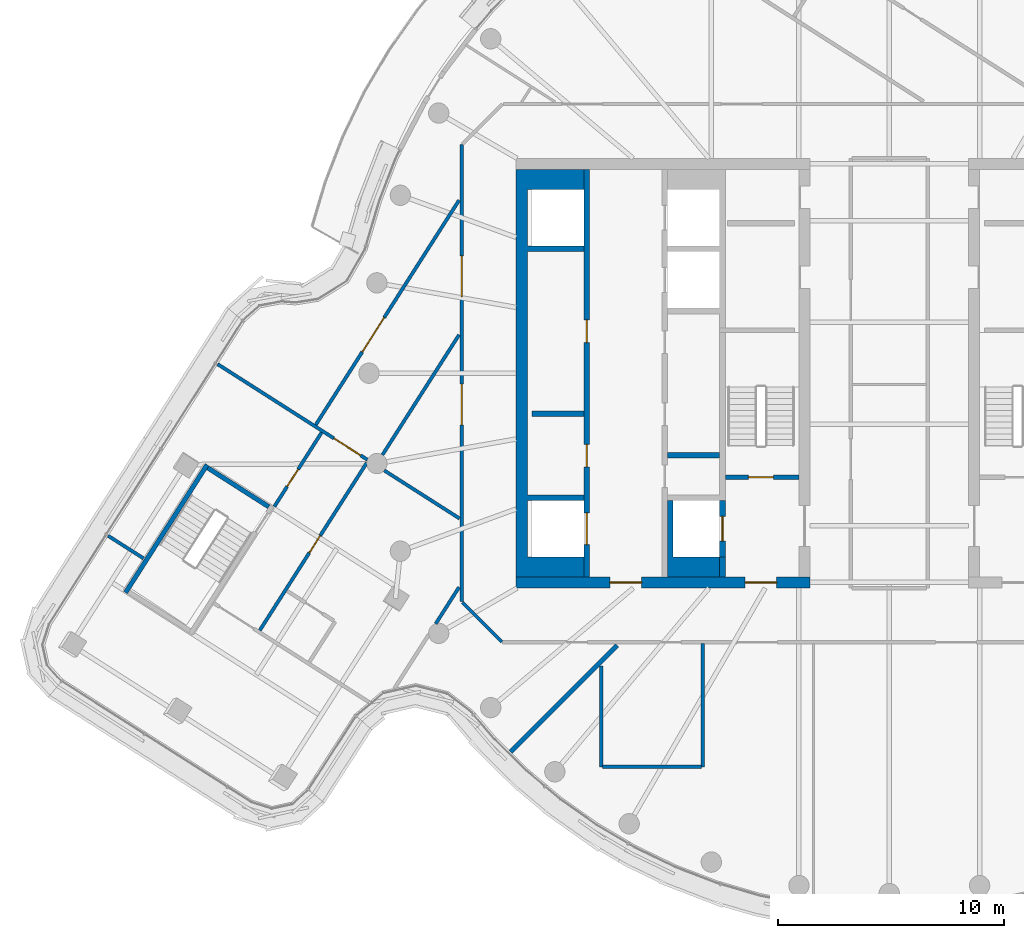
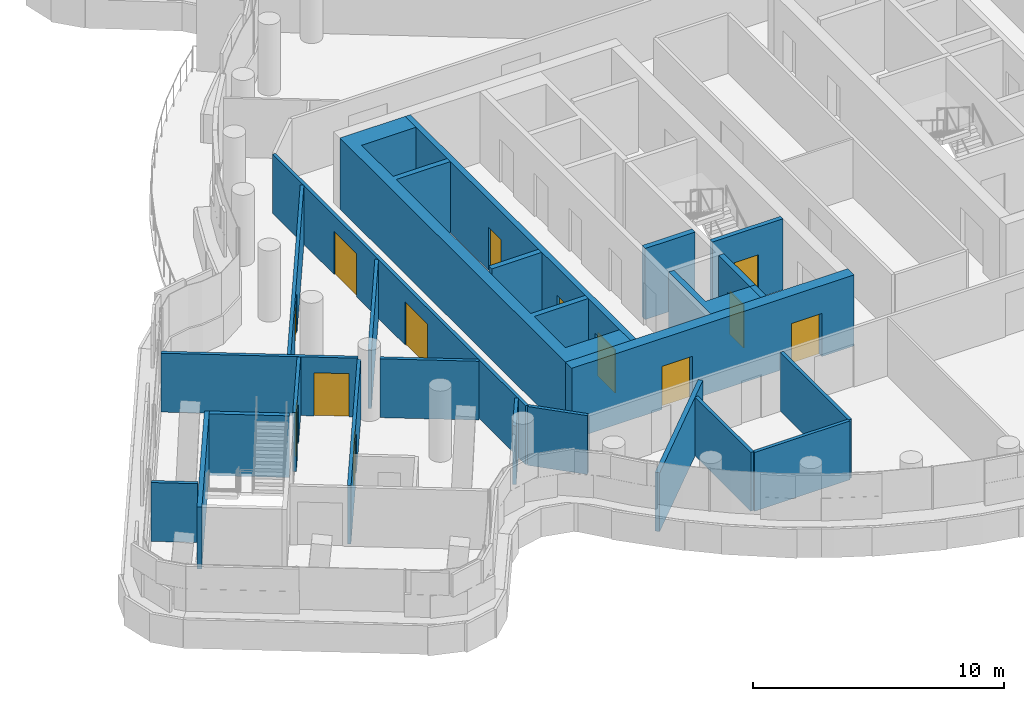
# One storey, part 17 of 27: 25 walls, 13 doors, 13 openings.
"""IFC4 building model written with IfcOpenShell, lengths in metres."""

from ifc_helpers import new_model, si_unit, direction, frame, frame_2d, origin, place, context, subcontext, project, spatial, polyline, rectangle, outline, extrude, material, layer, layer_set, type_object, element, fill, save


model = new_model("IFC4")

# Units and contexts
model_context = context("Model", 3, precision=1e-05, world=origin(), true_north=direction((0.0, 1.0)))
body_context = subcontext(model_context, "Body", "Model", "MODEL_VIEW")
ifc_project = project(units=[si_unit("LENGTHUNIT", "METRE"), si_unit("AREAUNIT", "SQUARE_METRE"), si_unit("VOLUMEUNIT", "CUBIC_METRE"), si_unit("PLANEANGLEUNIT", "RADIAN"), si_unit("MASSUNIT", "GRAM", prefix="KILO")], contexts=[model_context])

# Site, building, storey
site_placement = place(None, origin())
site = spatial("IfcSite", under=ifc_project, at=site_placement, CompositionType="ELEMENT")
building_placement = place(site_placement, origin())
building = spatial("IfcBuilding", under=site, at=building_placement, Name="Tamarind Cross Interchange Tower", CompositionType="ELEMENT")
storey_placement = place(building_placement, frame((0.0, 0.0, 241.5)))
storey = spatial("IfcBuildingStorey", under=building, at=storey_placement, Name="L61", CompositionType="ELEMENT", Elevation=241.5)

# Wall, openings, doors
ifc_material_1 = material(Name="Concrete C50", Category="concrete")
ifc_layer_1 = layer(ifc_material_1, 0.5)
ifc_layer_set_1 = layer_set([ifc_layer_1], Name="Concrete C50")
wall_type_1 = type_object("IfcWallType", Name="Core wall 500 mm Concrete C50", PredefinedType="SHEAR", material=ifc_layer_set_1)
wall_1_placement = place(storey_placement, frame((-16.5, -9.25, 0.0), z_axis=(0.0, 0.0, 1.0), x_axis=(1.0, 0.0, 0.0)))
wall_1 = element("IfcWall", 1, at=wall_1_placement, inside=storey, type_object=wall_type_1, Name="Core wall CWL-L61-W-S", PredefinedType="SHEAR", context=body_context, shape_type="SweptSolid", body=[
    extrude(rectangle(XDim=13.0, YDim=0.5, at=frame_2d((6.5, 0.0))), origin(), (0.0, 0.0, 1.0), 3.4599609375),
])
opening_1_placement = place(wall_1_placement, frame((4.14990234375, 0.0, 0.0)))
opening_1 = element("IfcOpeningElement", 2, at=opening_1_placement, cuts=wall_1, Name="Opening DCW1", PredefinedType="OPENING", context=body_context, shape_type="SweptSolid", body=[
    extrude(rectangle(XDim=1.39990234375, YDim=2.10009765625, at=frame_2d((0.699951171875, 1.050048828125))), frame((0.0, 0.260009765625, 0.0), z_axis=(0.0, -1.0, 0.0), x_axis=(1.0, 0.0, 0.0)), (0.0, 0.0, 1.0), 0.52001953125),
])
opening_2_placement = place(wall_1_placement, frame((10.125, 0.0, 0.0)))
opening_2 = element("IfcOpeningElement", 3, at=opening_2_placement, cuts=wall_1, Name="Opening DCWF", PredefinedType="OPENING", context=body_context, shape_type="SweptSolid", body=[
    extrude(rectangle(XDim=1.39990234375, YDim=2.10009765625, at=frame_2d((0.699951171875, 1.050048828125))), frame((0.0, 0.260009765625, 0.0), z_axis=(0.0, -1.0, 0.0), x_axis=(1.0, 0.0, 0.0)), (0.0, 0.0, 1.0), 0.52001953125),
])
ifc_material_2 = material(Name="Steel, fire-resisting", Category="steel")
door_type_1 = type_object("IfcDoorType", Name="Core fire door 1400 x 2100 FD90", OperationType="SINGLE_SWING_LEFT", PredefinedType="DOOR", material=ifc_material_2)
door_1_placement = place(opening_1_placement, origin())
door_1 = element("IfcDoor", 4, at=door_1_placement, inside=storey, type_object=door_type_1, Name="L61 lift lobby door", OperationType="SINGLE_SWING_LEFT", OverallHeight=2.10009765625, OverallWidth=1.39990234375, PredefinedType="DOOR", context=body_context, shape_type="SweptSolid", body=[
    extrude(rectangle(XDim=1.39990234375, YDim=2.10009765625, at=frame_2d((0.699951171875, 1.050048828125))), frame((0.0, 0.02490234375, 0.0), z_axis=(0.0, -1.0, 0.0), x_axis=(1.0, 0.0, 0.0)), (0.0, 0.0, 1.0), 0.050048828125),
])
fill(opening_1, door_1)
door_2_placement = place(opening_2_placement, origin())
door_2 = element("IfcDoor", 5, at=door_2_placement, inside=storey, type_object=door_type_1, Name="L61 firefighting lobby end door", OperationType="SINGLE_SWING_LEFT", OverallHeight=2.10009765625, OverallWidth=1.39990234375, PredefinedType="DOOR", context=body_context, shape_type="SweptSolid", body=[
    extrude(rectangle(XDim=1.39990234375, YDim=2.10009765625, at=frame_2d((0.699951171875, 1.050048828125))), frame((0.0, 0.02490234375, 0.0), z_axis=(0.0, -1.0, 0.0), x_axis=(1.0, 0.0, 0.0)), (0.0, 0.0, 1.0), 0.050048828125),
])
fill(opening_2, door_2)

# Walls
wall_2_placement = place(storey_placement, origin())
element("IfcWall", 6, at=wall_2_placement, inside=storey, type_object=wall_type_1, Name="Core wall CWL-L61-W-A", PredefinedType="SHEAR", context=body_context, shape_type="SweptSolid", body=[
    extrude(outline(polyline([(-13.5, -8.125), (-16.0, -8.125), (-16.0, -5.625), (-13.5, -5.625), (-13.5, -5.375), (-16.0, -5.375), (-16.0, 5.375), (-13.5, 5.375), (-13.5, 5.625), (-16.0, 5.625), (-16.0, 8.125), (-13.5, 8.125), (-13.5, 9.0), (-16.0, 9.0), (-16.5, 9.0), (-16.5, -9.0), (-16.0, -9.0), (-13.5, -9.0), (-13.5, -8.125)])), origin(), (0.0, 0.0, 1.0), 3.4599609375),
])
ifc_layer_2 = layer(ifc_material_1, 0.25)
ifc_layer_set_2 = layer_set([ifc_layer_2], Name="Concrete C50")
wall_type_2 = type_object("IfcWallType", Name="Core web wall 250 mm Concrete C50", PredefinedType="SHEAR", material=ifc_layer_set_2)
wall_3_placement = place(storey_placement, origin())
element("IfcWall", 7, at=wall_3_placement, inside=storey, type_object=wall_type_2, Name="Core wall CWL-L61-W-BS", PredefinedType="SHEAR", context=body_context, shape_type="SweptSolid", body=[
    extrude(outline(polyline([(-7.5, -8.125), (-9.550048828125, -8.125), (-9.550048828125, -5.625), (-9.800048828125, -5.625), (-9.800048828125, -8.125), (-9.800048828125, -9.0), (-7.5, -9.0), (-7.5, -8.125)])), origin(), (0.0, 0.0, 1.0), 3.4599609375),
])
wall_4_placement = place(storey_placement, frame((-7.375, -9.0, 0.0), z_axis=(0.0, 0.0, 1.0), x_axis=(0.0, 1.0, 0.0)))
element("IfcWall", 8, at=wall_4_placement, inside=storey, type_object=wall_type_2, Name="Core wall CWL-L61-W-BW", PredefinedType="SHEAR", context=body_context, shape_type="SweptSolid", body=[
    extrude(rectangle(XDim=0.875, YDim=0.25, at=frame_2d((0.4375, 0.0))), origin(), (0.0, 0.0, 1.0), 3.4599609375),
])

# Wall, openings, doors
wall_5_placement = place(storey_placement, frame((-13.375, -9.0, 0.0), z_axis=(0.0, 0.0, 1.0), x_axis=(0.0, 1.0, 0.0)))
wall_5 = element("IfcWall", 9, at=wall_5_placement, inside=storey, type_object=wall_type_2, Name="Core wall CWL-L61-W-LA", PredefinedType="SHEAR", context=body_context, shape_type="SweptSolid", body=[
    extrude(rectangle(XDim=18.0, YDim=0.25, at=frame_2d((9.0, 0.0))), origin(), (0.0, 0.0, 1.0), 3.4599609375),
])
opening_3_placement = place(wall_5_placement, frame((1.425048828125, 0.0, 0.0)))
opening_3 = element("IfcOpeningElement", 10, at=opening_3_placement, cuts=wall_5, Name="Opening LD1L61", PredefinedType="OPENING", context=body_context, shape_type="SweptSolid", body=[
    extrude(rectangle(XDim=1.39990234375, YDim=2.10009765625, at=frame_2d((0.699951171875, 1.050048828125))), frame((0.0, 0.135009765625, 0.0), z_axis=(0.0, -1.0, 0.0), x_axis=(1.0, 0.0, 0.0)), (0.0, 0.0, 1.0), 0.27001953125),
])
opening_4_placement = place(wall_5_placement, frame((4.85400390625, 0.0, 0.0)))
opening_4 = element("IfcOpeningElement", 11, at=opening_4_placement, cuts=wall_5, Name="Opening DCW9", PredefinedType="OPENING", context=body_context, shape_type="SweptSolid", body=[
    extrude(rectangle(XDim=1.0, YDim=2.10009765625, at=frame_2d((0.5, 1.050048828125))), frame((0.0, 0.135009765625, 0.0), z_axis=(0.0, -1.0, 0.0), x_axis=(1.0, 0.0, 0.0)), (0.0, 0.0, 1.0), 0.27001953125),
])
opening_5_placement = place(wall_5_placement, frame((10.35400390625, 0.0, 0.0)))
opening_5 = element("IfcOpeningElement", 12, at=opening_5_placement, cuts=wall_5, Name="Opening DCW10", PredefinedType="OPENING", context=body_context, shape_type="SweptSolid", body=[
    extrude(rectangle(XDim=1.0, YDim=2.10009765625, at=frame_2d((0.5, 1.050048828125))), frame((0.0, 0.135009765625, 0.0), z_axis=(0.0, -1.0, 0.0), x_axis=(1.0, 0.0, 0.0)), (0.0, 0.0, 1.0), 0.27001953125),
])
door_type_2 = type_object("IfcDoorType", Name="Core fire door 1000 x 2100 FD90", OperationType="SINGLE_SWING_LEFT", PredefinedType="DOOR", material=ifc_material_2)
door_3_placement = place(opening_4_placement, origin())
door_3 = element("IfcDoor", 13, at=door_3_placement, inside=storey, type_object=door_type_2, Name="L61 Staff changing room door", OperationType="SINGLE_SWING_LEFT", OverallHeight=2.10009765625, OverallWidth=1.0, PredefinedType="DOOR", context=body_context, shape_type="SweptSolid", body=[
    extrude(rectangle(XDim=1.0, YDim=2.10009765625, at=frame_2d((0.5, 1.050048828125))), frame((0.0, 0.02490234375, 0.0), z_axis=(0.0, -1.0, 0.0), x_axis=(1.0, 0.0, 0.0)), (0.0, 0.0, 1.0), 0.050048828125),
])
fill(opening_4, door_3)
door_4_placement = place(opening_5_placement, origin())
door_4 = element("IfcDoor", 14, at=door_4_placement, inside=storey, type_object=door_type_2, Name="L61 Ice and vending room door", OperationType="SINGLE_SWING_LEFT", OverallHeight=2.10009765625, OverallWidth=1.0, PredefinedType="DOOR", context=body_context, shape_type="SweptSolid", body=[
    extrude(rectangle(XDim=1.0, YDim=2.10009765625, at=frame_2d((0.5, 1.050048828125))), frame((0.0, 0.02490234375, 0.0), z_axis=(0.0, -1.0, 0.0), x_axis=(1.0, 0.0, 0.0)), (0.0, 0.0, 1.0), 0.050048828125),
])
fill(opening_5, door_4)
ifc_material_3 = material(Name="Stainless steel panel", Category="steel")
door_type_3 = type_object("IfcDoorType", Name="Lift landing door 1400 x 2100 E 120", OperationType="SLIDING_TO_LEFT", PredefinedType="DOOR", material=ifc_material_3)
door_5_placement = place(opening_3_placement, origin())
door_5 = element("IfcDoor", 15, at=door_5_placement, inside=storey, type_object=door_type_3, Name="L61 landing door LF1", OperationType="SLIDING_TO_LEFT", OverallHeight=2.10009765625, OverallWidth=1.39990234375, PredefinedType="DOOR", context=body_context, shape_type="SweptSolid", body=[
    extrude(rectangle(XDim=1.39990234375, YDim=2.10009765625, at=frame_2d((0.699951171875, 1.050048828125))), frame((0.0, 0.02490234375, 0.0), z_axis=(0.0, -1.0, 0.0), x_axis=(1.0, 0.0, 0.0)), (0.0, 0.0, 1.0), 0.050048828125),
])
fill(opening_3, door_5)

# Wall, opening, door
wall_6_placement = place(storey_placement, frame((-7.375, -8.125, 0.0), z_axis=(0.0, 0.0, 1.0), x_axis=(0.0, 1.0, 0.0)))
wall_6 = element("IfcWall", 16, at=wall_6_placement, inside=storey, type_object=wall_type_2, Name="Core wall CWL-L61-W-FF", PredefinedType="SHEAR", context=body_context, shape_type="SweptSolid", body=[
    extrude(rectangle(XDim=2.5, YDim=0.25, at=frame_2d((1.25, 0.0))), origin(), (0.0, 0.0, 1.0), 3.4599609375),
])
opening_6_placement = place(wall_6_placement, frame((0.699951171875, 0.0, 0.0)))
opening_6 = element("IfcOpeningElement", 17, at=opening_6_placement, cuts=wall_6, Name="Opening LD7L61", PredefinedType="OPENING", context=body_context, shape_type="SweptSolid", body=[
    extrude(rectangle(XDim=1.10009765625, YDim=2.10009765625, at=frame_2d((0.550048828125, 1.050048828125))), frame((0.0, 0.135009765625, 0.0), z_axis=(0.0, -1.0, 0.0), x_axis=(1.0, 0.0, 0.0)), (0.0, 0.0, 1.0), 0.27001953125),
])
door_type_4 = type_object("IfcDoorType", Name="Lift landing door 1100 x 2100 E 120", OperationType="SLIDING_TO_LEFT", PredefinedType="DOOR", material=ifc_material_3)
door_6_placement = place(opening_6_placement, origin())
door_6 = element("IfcDoor", 18, at=door_6_placement, inside=storey, type_object=door_type_4, Name="L61 landing door LF7", OperationType="SLIDING_TO_LEFT", OverallHeight=2.10009765625, OverallWidth=1.10009765625, PredefinedType="DOOR", context=body_context, shape_type="SweptSolid", body=[
    extrude(rectangle(XDim=1.10009765625, YDim=2.10009765625, at=frame_2d((0.550048828125, 1.050048828125))), frame((0.0, 0.02490234375, 0.0), z_axis=(0.0, -1.0, 0.0), x_axis=(1.0, 0.0, 0.0)), (0.0, 0.0, 1.0), 0.050048828125),
])
fill(opening_6, door_6)

# Walls
ifc_material_4 = material(Name="Gypsum board partition on steel studs", Category="steel")
ifc_layer_3 = layer(ifc_material_4, 0.14990234375)
ifc_layer_set_3 = layer_set([ifc_layer_3], Name="Gypsum board partition on steel studs")
wall_type_3 = type_object("IfcWallType", Name="Partition 150 mm EI 120", PredefinedType="PARTITIONING", material=ifc_layer_set_3)
wall_7_placement = place(storey_placement, frame((-18.87158203125, -10.12841796875, 0.0), z_axis=(0.0, 0.0, 1.0), x_axis=(0.707106781187, -0.707106781187, 0.0)))
element("IfcWall", 19, at=wall_7_placement, inside=storey, type_object=wall_type_3, Name="Partition L61-001", PredefinedType="PARTITIONING", context=body_context, shape_type="SweptSolid", body=[
    extrude(rectangle(XDim=2.465087890625, YDim=0.14990234375, at=frame_2d((1.232421875, 0.0))), origin(), (0.0, 0.0, 1.0), 2.864013671875),
])
wall_8_placement = place(storey_placement, frame((-34.531982421875, -7.188720703125, 0.0), z_axis=(0.0, 0.0, 1.0), x_axis=(0.84321231402, -0.537580685558, 0.0)))
element("IfcWall", 20, at=wall_8_placement, inside=storey, type_object=wall_type_3, Name="Partition L61-004", PredefinedType="PARTITIONING", context=body_context, shape_type="SweptSolid", body=[
    extrude(rectangle(XDim=1.85888671875, YDim=0.14990234375, at=frame_2d((0.929443359375, 0.0))), origin(), (0.0, 0.0, 1.0), 2.864013671875),
])

# Wall, opening, door
wall_9_placement = place(storey_placement, frame((-29.691162109375, 0.3994140625, 0.0), z_axis=(0.0, 0.0, 1.0), x_axis=(0.843069969202, -0.537803892724, 0.0)))
wall_9 = element("IfcWall", 21, at=wall_9_placement, inside=storey, type_object=wall_type_3, Name="Partition L61-006", PredefinedType="PARTITIONING", context=body_context, shape_type="SweptSolid", body=[
    extrude(rectangle(XDim=7.8583984375, YDim=0.14990234375, at=frame_2d((3.92919921875, 0.0))), origin(), (0.0, 0.0, 1.0), 2.864013671875),
])
opening_7_placement = place(wall_9_placement, frame((6.09912109375, 0.0, 0.0)))
opening_7 = element("IfcOpeningElement", 22, at=opening_7_placement, cuts=wall_9, Name="Opening D02", PredefinedType="OPENING", context=body_context, shape_type="SweptSolid", body=[
    extrude(rectangle(XDim=1.39990234375, YDim=2.10009765625, at=frame_2d((0.699951171875, 1.050048828125))), frame((0.0, 0.0849609375, 0.0), z_axis=(0.0, -1.0, 0.0), x_axis=(1.0, 0.0, 0.0)), (0.0, 0.0, 1.0), 0.169921875),
])
ifc_material_5 = material(Name="Fire-resisting door set")
door_type_5 = type_object("IfcDoorType", Name="Interior door 1400 x 2100 FD60S", OperationType="DOUBLE_DOOR_SINGLE_SWING", PredefinedType="DOOR", material=ifc_material_5)
door_7_placement = place(opening_7_placement, origin())
door_7 = element("IfcDoor", 23, at=door_7_placement, inside=storey, type_object=door_type_5, Name="Door D02", OperationType="DOUBLE_DOOR_SINGLE_SWING", OverallHeight=2.10009765625, OverallWidth=1.39990234375, PredefinedType="DOOR", context=body_context, shape_type="SweptSolid", body=[
    extrude(rectangle(XDim=1.39990234375, YDim=2.10009765625, at=frame_2d((0.699951171875, 1.050048828125))), frame((0.0, 0.02490234375, 0.0), z_axis=(0.0, -1.0, 0.0), x_axis=(1.0, 0.0, 0.0)), (0.0, 0.0, 1.0), 0.050048828125),
])
fill(opening_7, door_7)

# Walls
wall_10_placement = place(storey_placement, frame((-22.32666015625, -4.29833984375, 0.0), z_axis=(0.0, 0.0, 1.0), x_axis=(0.843073070403, -0.537799031201, 0.0)))
element("IfcWall", 24, at=wall_10_placement, inside=storey, type_object=wall_type_3, Name="Partition L61-007", PredefinedType="PARTITIONING", context=body_context, shape_type="SweptSolid", body=[
    extrude(rectangle(XDim=3.949951171875, YDim=0.14990234375, at=frame_2d((1.97509765625, 0.0))), origin(), (0.0, 0.0, 1.0), 2.864013671875),
])
wall_11_placement = place(storey_placement, frame((-12.68603515625, -17.39990234375, 0.0), z_axis=(0.0, 0.0, 1.0), x_axis=(1.0, 0.0, 0.0)))
element("IfcWall", 25, at=wall_11_placement, inside=storey, type_object=wall_type_3, Name="Partition L61-026", PredefinedType="PARTITIONING", context=body_context, shape_type="SweptSolid", body=[
    extrude(rectangle(XDim=4.39013671875, YDim=0.14990234375, at=frame_2d((2.195068359375, 0.0))), origin(), (0.0, 0.0, 1.0), 2.864013671875),
])

# Wall, opening, door
wall_12_placement = place(storey_placement, frame((-27.829833984375, -11.36865234375, 0.0), z_axis=(0.0, 0.0, 1.0), x_axis=(0.53821322343, 0.842808712654, 0.0)))
wall_12 = element("IfcWall", 26, at=wall_12_placement, inside=storey, type_object=wall_type_3, Name="Partition L61-036", PredefinedType="PARTITIONING", context=body_context, shape_type="SweptSolid", body=[
    extrude(rectangle(XDim=8.781494140625, YDim=0.14990234375, at=frame_2d((4.390625, 0.0))), origin(), (0.0, 0.0, 1.0), 2.864013671875),
])
opening_8_placement = place(wall_12_placement, frame((4.06982421875, 0.0, 0.0)))
opening_8 = element("IfcOpeningElement", 27, at=opening_8_placement, cuts=wall_12, Name="Opening D19", PredefinedType="OPENING", context=body_context, shape_type="SweptSolid", body=[
    extrude(rectangle(XDim=0.89990234375, YDim=2.10009765625, at=frame_2d((0.449951171875, 1.050048828125))), frame((0.0, 0.0849609375, 0.0), z_axis=(0.0, -1.0, 0.0), x_axis=(1.0, 0.0, 0.0)), (0.0, 0.0, 1.0), 0.169921875),
])
door_type_6 = type_object("IfcDoorType", Name="Interior door 900 x 2100 FD60S", OperationType="SINGLE_SWING_LEFT", PredefinedType="DOOR", material=ifc_material_5)
door_8_placement = place(opening_8_placement, frame((0.89990234375, 0.0, 0.0), z_axis=(0.0, 0.0, 1.0), x_axis=(-1.0, 0.0, 0.0)))
door_8 = element("IfcDoor", 28, at=door_8_placement, inside=storey, type_object=door_type_6, Name="Door D19", OperationType="SINGLE_SWING_RIGHT", OverallHeight=2.10009765625, OverallWidth=0.89990234375, PredefinedType="DOOR", context=body_context, shape_type="SweptSolid", body=[
    extrude(rectangle(XDim=0.89990234375, YDim=2.10009765625, at=frame_2d((0.449951171875, 1.050048828125))), frame((0.0, 0.02490234375, 0.0), z_axis=(0.0, -1.0, 0.0), x_axis=(1.0, 0.0, 0.0)), (0.0, 0.0, 1.0), 0.050048828125),
])
fill(opening_8, door_8)

wall_13_placement = place(storey_placement, frame((-27.184814453125, -5.896484375, 0.0), z_axis=(0.0, 0.0, 1.0), x_axis=(0.537860416346, 0.843033909477, 0.0)))
wall_13 = element("IfcWall", 29, at=wall_13_placement, inside=storey, type_object=wall_type_3, Name="Partition L61-037", PredefinedType="PARTITIONING", context=body_context, shape_type="SweptSolid", body=[
    extrude(rectangle(XDim=3.880126953125, YDim=0.14990234375, at=frame_2d((1.93994140625, 0.0))), origin(), (0.0, 0.0, 1.0), 2.864013671875),
])
opening_9_placement = place(wall_13_placement, frame((1.050048828125, 0.0, 0.0)))
opening_9 = element("IfcOpeningElement", 30, at=opening_9_placement, cuts=wall_13, Name="Opening D20", PredefinedType="OPENING", context=body_context, shape_type="SweptSolid", body=[
    extrude(rectangle(XDim=0.89990234375, YDim=2.10009765625, at=frame_2d((0.449951171875, 1.050048828125))), frame((0.0, 0.0849609375, 0.0), z_axis=(0.0, -1.0, 0.0), x_axis=(1.0, 0.0, 0.0)), (0.0, 0.0, 1.0), 0.169921875),
])
door_9_placement = place(opening_9_placement, origin())
door_9 = element("IfcDoor", 31, at=door_9_placement, inside=storey, type_object=door_type_6, Name="Door D20", OperationType="SINGLE_SWING_RIGHT", OverallHeight=2.10009765625, OverallWidth=0.89990234375, PredefinedType="DOOR", context=body_context, shape_type="SweptSolid", body=[
    extrude(rectangle(XDim=0.89990234375, YDim=2.10009765625, at=frame_2d((0.449951171875, 1.050048828125))), frame((0.0, 0.02490234375, 0.0), z_axis=(0.0, -1.0, 0.0), x_axis=(1.0, 0.0, 0.0)), (0.0, 0.0, 1.0), 0.050048828125),
])
fill(opening_9, door_9)

wall_14_placement = place(storey_placement, frame((-25.35009765625, -2.275634765625, 0.0), z_axis=(0.0, 0.0, 1.0), x_axis=(0.537870843286, 0.84302725694, 0.0)))
wall_14 = element("IfcWall", 32, at=wall_14_placement, inside=storey, type_object=wall_type_3, Name="Partition L61-039", PredefinedType="PARTITIONING", context=body_context, shape_type="SweptSolid", body=[
    extrude(rectangle(XDim=11.77197265625, YDim=0.14990234375, at=frame_2d((5.885986328125, 0.0))), origin(), (0.0, 0.0, 1.0), 2.864013671875),
])
opening_10_placement = place(wall_14_placement, frame((3.820068359375, 0.0, 0.0)))
opening_10 = element("IfcOpeningElement", 33, at=opening_10_placement, cuts=wall_14, Name="Opening D21", PredefinedType="OPENING", context=body_context, shape_type="SweptSolid", body=[
    extrude(rectangle(XDim=1.800048828125, YDim=2.10009765625, at=frame_2d((0.89990234375, 1.050048828125))), frame((0.0, 0.0849609375, 0.0), z_axis=(0.0, -1.0, 0.0), x_axis=(1.0, 0.0, 0.0)), (0.0, 0.0, 1.0), 0.169921875),
])
door_type_7 = type_object("IfcDoorType", Name="Interior door 1800 x 2100 FD60S", OperationType="DOUBLE_DOOR_SINGLE_SWING", PredefinedType="DOOR", material=ifc_material_5)
door_10_placement = place(opening_10_placement, origin())
door_10 = element("IfcDoor", 34, at=door_10_placement, inside=storey, type_object=door_type_7, Name="Door D21", OperationType="DOUBLE_DOOR_SINGLE_SWING", OverallHeight=2.10009765625, OverallWidth=1.800048828125, PredefinedType="DOOR", context=body_context, shape_type="SweptSolid", body=[
    extrude(rectangle(XDim=1.800048828125, YDim=2.10009765625, at=frame_2d((0.89990234375, 1.050048828125))), frame((0.0, 0.02490234375, 0.0), z_axis=(0.0, -1.0, 0.0), x_axis=(1.0, 0.0, 0.0)), (0.0, 0.0, 1.0), 0.050048828125),
])
fill(opening_10, door_10)

# Walls
wall_15_placement = place(storey_placement, frame((-22.405517578125, -3.610595703125, 0.0), z_axis=(0.0, 0.0, 1.0), x_axis=(0.537858450387, 0.843035163767, 0.0)))
element("IfcWall", 35, at=wall_15_placement, inside=storey, type_object=wall_type_3, Name="Partition L61-041", PredefinedType="PARTITIONING", context=body_context, shape_type="SweptSolid", body=[
    extrude(rectangle(XDim=6.297607421875, YDim=0.14990234375, at=frame_2d((3.14892578125, 0.0))), origin(), (0.0, 0.0, 1.0), 2.864013671875),
])
wall_16_placement = place(storey_placement, frame((-20.050537109375, -11.0751953125, 0.0), z_axis=(0.0, 0.0, 1.0), x_axis=(0.537912354102, 0.843000770643, 0.0)))
element("IfcWall", 36, at=wall_16_placement, inside=storey, type_object=wall_type_3, Name="Partition L61-043", PredefinedType="PARTITIONING", context=body_context, shape_type="SweptSolid", body=[
    extrude(rectangle(XDim=1.9189453125, YDim=0.14990234375, at=frame_2d((0.95947265625, 0.0))), origin(), (0.0, 0.0, 1.0), 2.864013671875),
])

# Wall, openings, doors
wall_17_placement = place(storey_placement, frame((-18.89990234375, -10.10009765625, 0.0), z_axis=(0.0, 0.0, 1.0), x_axis=(0.0, 1.0, 0.0)))
wall_17 = element("IfcWall", 37, at=wall_17_placement, inside=storey, type_object=wall_type_3, Name="Partition L61-053", PredefinedType="PARTITIONING", context=body_context, shape_type="SweptSolid", body=[
    extrude(rectangle(XDim=20.2001953125, YDim=0.14990234375, at=frame_2d((10.10009765625, 0.0))), origin(), (0.0, 0.0, 1.0), 2.864013671875),
])
opening_11_placement = place(wall_17_placement, frame((13.48388671875, 0.0, 0.0)))
opening_11 = element("IfcOpeningElement", 38, at=opening_11_placement, cuts=wall_17, Name="Opening D26", PredefinedType="OPENING", context=body_context, shape_type="SweptSolid", body=[
    extrude(rectangle(XDim=1.800048828125, YDim=2.10009765625, at=frame_2d((0.89990234375, 1.050048828125))), frame((0.0, 0.0849609375, 0.0), z_axis=(0.0, -1.0, 0.0), x_axis=(1.0, 0.0, 0.0)), (0.0, 0.0, 1.0), 0.169921875),
])
opening_12_placement = place(wall_17_placement, frame((7.81494140625, 0.0, 0.0)))
opening_12 = element("IfcOpeningElement", 39, at=opening_12_placement, cuts=wall_17, Name="Opening D27", PredefinedType="OPENING", context=body_context, shape_type="SweptSolid", body=[
    extrude(rectangle(XDim=1.800048828125, YDim=2.10009765625, at=frame_2d((0.89990234375, 1.050048828125))), frame((0.0, 0.0849609375, 0.0), z_axis=(0.0, -1.0, 0.0), x_axis=(1.0, 0.0, 0.0)), (0.0, 0.0, 1.0), 0.169921875),
])
door_11_placement = place(opening_11_placement, frame((1.800048828125, 0.0, 0.0), z_axis=(0.0, 0.0, 1.0), x_axis=(-1.0, 0.0, 0.0)))
door_11 = element("IfcDoor", 40, at=door_11_placement, inside=storey, type_object=door_type_7, Name="Door D26", OperationType="DOUBLE_DOOR_SINGLE_SWING", OverallHeight=2.10009765625, OverallWidth=1.800048828125, PredefinedType="DOOR", context=body_context, shape_type="SweptSolid", body=[
    extrude(rectangle(XDim=1.800048828125, YDim=2.10009765625, at=frame_2d((0.89990234375, 1.050048828125))), frame((0.0, 0.02490234375, 0.0), z_axis=(0.0, -1.0, 0.0), x_axis=(1.0, 0.0, 0.0)), (0.0, 0.0, 1.0), 0.050048828125),
])
fill(opening_11, door_11)
door_12_placement = place(opening_12_placement, origin())
door_12 = element("IfcDoor", 41, at=door_12_placement, inside=storey, type_object=door_type_7, Name="Door D27", OperationType="DOUBLE_DOOR_SINGLE_SWING", OverallHeight=2.10009765625, OverallWidth=1.800048828125, PredefinedType="DOOR", context=body_context, shape_type="SweptSolid", body=[
    extrude(rectangle(XDim=1.800048828125, YDim=2.10009765625, at=frame_2d((0.89990234375, 1.050048828125))), frame((0.0, 0.02490234375, 0.0), z_axis=(0.0, -1.0, 0.0), x_axis=(1.0, 0.0, 0.0)), (0.0, 0.0, 1.0), 0.050048828125),
])
fill(opening_12, door_12)

# Walls
wall_18_placement = place(storey_placement, frame((-12.740966796875, -17.39990234375, 0.0), z_axis=(0.0, 0.0, 1.0), x_axis=(0.0, 1.0, 0.0)))
element("IfcWall", 42, at=wall_18_placement, inside=storey, type_object=wall_type_3, Name="Partition L61-054", PredefinedType="PARTITIONING", context=body_context, shape_type="SweptSolid", body=[
    extrude(rectangle(XDim=4.458984375, YDim=0.14990234375, at=frame_2d((2.2294921875, 0.0))), origin(), (0.0, 0.0, 1.0), 2.864013671875),
])
wall_19_placement = place(storey_placement, frame((-8.240966796875, -17.39990234375, 0.0), z_axis=(0.0, 0.0, 1.0), x_axis=(0.0, 1.0, 0.0)))
element("IfcWall", 43, at=wall_19_placement, inside=storey, type_object=wall_type_3, Name="Partition L61-055", PredefinedType="PARTITIONING", context=body_context, shape_type="SweptSolid", body=[
    extrude(rectangle(XDim=5.44482421875, YDim=0.14990234375, at=frame_2d((2.722412109375, 0.0))), origin(), (0.0, 0.0, 1.0), 2.864013671875),
])
ifc_layer_4 = layer(ifc_material_4, 0.199951171875)
ifc_layer_set_4 = layer_set([ifc_layer_4], Name="Gypsum board partition on steel studs")
wall_type_4 = type_object("IfcWallType", Name="Partition 200 mm EI 180", PredefinedType="PARTITIONING", material=ifc_layer_set_4)
wall_20_placement = place(storey_placement, frame((-16.740478515625, -16.740478515625, 0.0), z_axis=(0.0, 0.0, 1.0), x_axis=(0.707106781187, 0.707106781187, 0.0)))
element("IfcWall", 44, at=wall_20_placement, inside=storey, type_object=wall_type_4, Name="Partition L61-034", PredefinedType="PARTITIONING", context=body_context, shape_type="SweptSolid", body=[
    extrude(rectangle(XDim=6.665283203125, YDim=0.199951171875, at=frame_2d((3.33251953125, 0.0))), origin(), (0.0, 0.0, 1.0), 2.864013671875),
])
ifc_material_6 = material(Name="Concrete C40", Category="concrete")
ifc_layer_5 = layer(ifc_material_6, 0.25)
ifc_layer_set_5 = layer_set([ifc_layer_5], Name="Concrete C40")
wall_type_5 = type_object("IfcWallType", Name="Shaft and lobby wall 250 mm Concrete C40", PredefinedType="PARTITIONING", material=ifc_layer_set_5)
for number, where, z_axis, x_axis, name in (
    (45, (-15.800048828125, -1.7919921875, 0.0), (0.0, 0.0, 1.0), (1.0, 0.0, 0.0), "Shaft wall CWL-L61-W-FPA1"),
    (46, (-9.800048828125, -3.625, 0.0), (0.0, 0.0, 1.0), (1.0, 0.0, 0.0), "Shaft wall CWL-L61-W-FPB1"),
):
    element("IfcWall", number, at=place(storey_placement, frame(where, z_axis=z_axis, x_axis=x_axis)), inside=storey, type_object=wall_type_5, Name=name, PredefinedType="PARTITIONING", context=body_context, shape_type="SweptSolid", body=[
        extrude(rectangle(XDim=2.300048828125, YDim=0.25, at=frame_2d((1.14990234375, 0.0))), origin(), (0.0, 0.0, 1.0), 3.4599609375),
    ])

# Wall, opening, door
ifc_layer_6 = layer(ifc_material_6, 0.199951171875)
ifc_layer_set_6 = layer_set([ifc_layer_6], Name="Concrete C40")
wall_type_6 = type_object("IfcWallType", Name="Stair shaft wall 200 mm Concrete C40", PredefinedType="SHEAR", material=ifc_layer_set_6)
wall_21_placement = place(storey_placement, frame((-7.25, -4.60009765625, 0.0), z_axis=(0.0, 0.0, 1.0), x_axis=(1.0, 0.0, 0.0)))
wall_21 = element("IfcWall", 47, at=wall_21_placement, inside=storey, type_object=wall_type_6, Name="Core wall CWL-L61-W-SD", PredefinedType="SHEAR", context=body_context, shape_type="SweptSolid", body=[
    extrude(rectangle(XDim=3.25, YDim=0.199951171875, at=frame_2d((1.625, 0.0))), origin(), (0.0, 0.0, 1.0), 3.4599609375),
])
opening_13_placement = place(wall_21_placement, frame((1.02490234375, 0.0, 0.0)))
opening_13 = element("IfcOpeningElement", 48, at=opening_13_placement, cuts=wall_21, Name="Opening DCW6", PredefinedType="OPENING", context=body_context, shape_type="SweptSolid", body=[
    extrude(rectangle(XDim=1.10009765625, YDim=2.10009765625, at=frame_2d((0.550048828125, 1.050048828125))), frame((0.0, 0.10986328125, 0.0), z_axis=(0.0, -1.0, 0.0), x_axis=(1.0, 0.0, 0.0)), (0.0, 0.0, 1.0), 0.219970703125),
])
door_type_8 = type_object("IfcDoorType", Name="Core fire door 1100 x 2100 FD90", OperationType="SINGLE_SWING_LEFT", PredefinedType="DOOR", material=ifc_material_2)
door_13_placement = place(opening_13_placement, origin())
door_13 = element("IfcDoor", 49, at=door_13_placement, inside=storey, type_object=door_type_8, Name="L61 stair door", OperationType="SINGLE_SWING_LEFT", OverallHeight=2.10009765625, OverallWidth=1.10009765625, PredefinedType="DOOR", context=body_context, shape_type="SweptSolid", body=[
    extrude(rectangle(XDim=1.10009765625, YDim=2.10009765625, at=frame_2d((0.550048828125, 1.050048828125))), frame((0.0, 0.02490234375, 0.0), z_axis=(0.0, -1.0, 0.0), x_axis=(1.0, 0.0, 0.0)), (0.0, 0.0, 1.0), 0.050048828125),
])
fill(opening_13, door_13)

# Walls
wall_22_placement = place(storey_placement, frame((-30.157470703125, -4.048095703125, -0.139892578125), z_axis=(0.0, 0.0, 1.0), x_axis=(-0.537837128286, -0.843048766939, 0.0)))
element("IfcWall", 50, at=wall_22_placement, inside=storey, type_object=wall_type_6, Name="Core wall CWL-L61-ST5-C", PredefinedType="SHEAR", context=body_context, shape_type="SweptSolid", body=[
    extrude(rectangle(XDim=6.699951171875, YDim=0.199951171875, at=frame_2d((3.35009765625, 0.0))), origin(), (0.0, 0.0, 1.0), 3.00390625),
])
wall_23_placement = place(storey_placement, frame((-30.126953125, -4.18603515625, -0.139892578125), z_axis=(0.0, 0.0, 1.0), x_axis=(0.843032618473, -0.53786243984, 0.0)))
element("IfcWall", 51, at=wall_23_placement, inside=storey, type_object=wall_type_6, Name="Core wall CWL-L61-ST5-CE", PredefinedType="SHEAR", context=body_context, shape_type="SweptSolid", body=[
    extrude(rectangle(XDim=3.199951171875, YDim=0.199951171875, at=frame_2d((1.60009765625, 0.0))), origin(), (0.0, 0.0, 1.0), 3.00390625),
])

save(model, "model.ifc")
